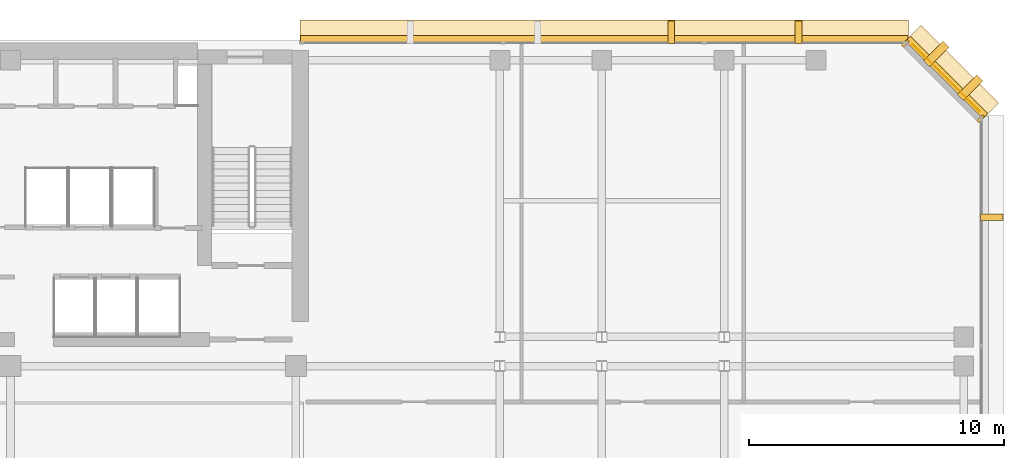
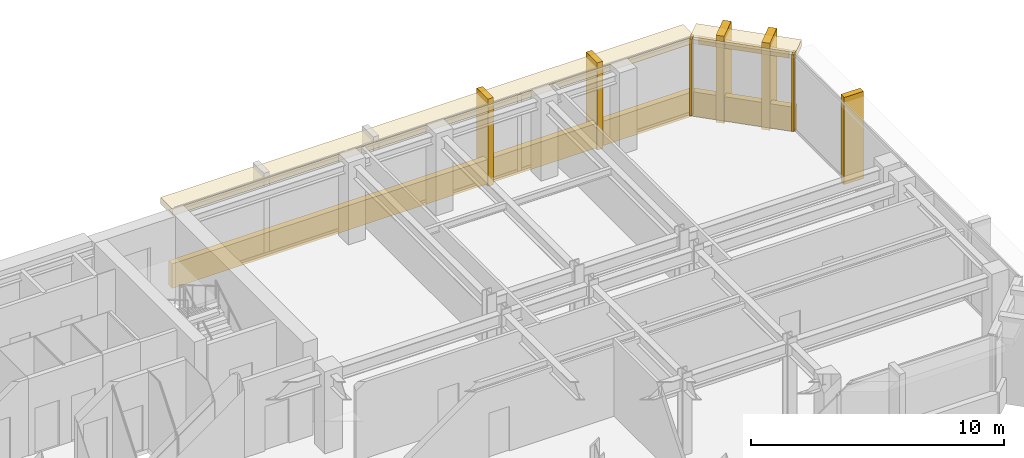
# One storey, part 12 of 12: 12 coverings.
"""IFC4 building model written with IfcOpenShell, lengths in metres."""

from ifc_helpers import new_model, si_unit, direction, frame, origin, origin_2d, place, context, subcontext, project, spatial, rectangle, extrude, material, layer, layer_set, type_object, element, save


model = new_model("IFC4")

# Units and contexts
model_context = context("Model", 3, precision=1e-05, world=origin(), true_north=direction((0.0, 1.0)))
body_context = subcontext(model_context, "Body", "Model", "MODEL_VIEW")
ifc_project = project(units=[si_unit("LENGTHUNIT", "METRE"), si_unit("AREAUNIT", "SQUARE_METRE"), si_unit("VOLUMEUNIT", "CUBIC_METRE"), si_unit("PLANEANGLEUNIT", "RADIAN"), si_unit("MASSUNIT", "GRAM", prefix="KILO")], contexts=[model_context])

# Site, building, storey
site_placement = place(None, origin())
site = spatial("IfcSite", under=ifc_project, at=site_placement, CompositionType="ELEMENT")
building_placement = place(site_placement, origin())
building = spatial("IfcBuilding", under=site, at=building_placement, Name="Kefirva Bronze Tower", CompositionType="ELEMENT")
storey_placement = place(building_placement, frame((0.0, 0.0, 203.280029296875)))
storey = spatial("IfcBuildingStorey", under=building, at=storey_placement, Name="L49", CompositionType="ELEMENT", Elevation=203.280029296875)

# Coverings
ifc_material = material(Name="Bronze anodised aluminium", Category="aluminium")
ifc_layer_1 = layer(ifc_material, 0.02001953125, Name="Bronze anodised aluminium")
ifc_layer_set_1 = layer_set([ifc_layer_1], Name="Bronze anodised aluminium")
covering_type_1 = type_object("IfcCoveringType", Name="Anodised Bronze Spandrel Cladding 20mm", PredefinedType="CLADDING", material=ifc_layer_set_1)
covering_1_placement = place(storey_placement, frame((48.70703125, 44.507080078125, 3.2900390625), z_axis=(0.0, 0.0, 1.0), x_axis=(-0.707106781187, 0.707106781187, 0.0)))
element("IfcCovering", 1, at=covering_1_placement, inside=storey, type_object=covering_type_1, Name="L49 Bronze Spandrel Cladding 5", PredefinedType="CLADDING", context=body_context, shape_type="SweptSolid", body=[
    extrude(rectangle(XDim=3.719482421875, YDim=0.02001953125, at=origin_2d()), origin(), (0.0, 0.0, 1.0), 0.39990234375),
])
for number, where, z_axis, x_axis, name in (
    (2, (50.06201171875, 42.91162109375, 0.0), (0.0, 0.0, 1.0), (-0.707106781187, 0.707106781187, 0.0), "L49 Facade Joint Closure Panel 5S"),
    (3, (47.11181640625, 45.862060546875, 0.0), (0.0, 0.0, 1.0), (-0.707106781187, 0.707106781187, 0.0), "L49 Facade Joint Closure Panel 5E"),
):
    element("IfcCovering", number, at=place(storey_placement, frame(where, z_axis=z_axis, x_axis=x_axis)), inside=storey, type_object=covering_type_1, Name=name, PredefinedType="CLADDING", context=body_context, shape_type="SweptSolid", body=[
        extrude(rectangle(XDim=0.10009765625, YDim=0.320068359375, at=origin_2d()), origin(), (0.0, 0.0, 1.0), 3.7099609375),
    ])
covering_2_placement = place(storey_placement, frame((48.728271484375, 44.5283203125, -0.16015625), z_axis=(0.0, 0.0, 1.0), x_axis=(-0.707106781187, 0.707106781187, 0.0)))
element("IfcCovering", 4, at=covering_2_placement, inside=storey, type_object=covering_type_1, Name="L49 Streamline Horizontal Spandrel Band 7", PredefinedType="CLADDING", context=body_context, shape_type="SweptSolid", body=[
    extrude(rectangle(XDim=4.28271484375, YDim=0.280029296875, at=origin_2d()), origin(), (0.0, 0.0, 1.0), 1.179931640625),
])
covering_3_placement = place(storey_placement, frame((35.302490234375, 46.0400390625, -0.16015625), z_axis=(0.0, 0.0, 1.0), x_axis=(-1.0, 0.0, 0.0)))
element("IfcCovering", 5, at=covering_3_placement, inside=storey, type_object=covering_type_1, Name="L49 Streamline Horizontal Spandrel Band 8", PredefinedType="CLADDING", context=body_context, shape_type="SweptSolid", body=[
    extrude(rectangle(XDim=23.8349609375, YDim=0.280029296875, at=origin_2d()), origin(), (0.0, 0.0, 1.0), 1.179931640625),
])
ifc_layer_2 = layer(ifc_material, 0.179931640625, Name="Bronze anodised aluminium")
ifc_layer_set_2 = layer_set([ifc_layer_2], Name="Bronze anodised aluminium")
covering_type_2 = type_object("IfcCoveringType", Name="Streamline Bronze Sunshade Eyebrow Cladding 180mm", PredefinedType="CLADDING", material=ifc_layer_set_2)
covering_4_placement = place(storey_placement, frame((48.919189453125, 44.71923828125, 3.39013671875), z_axis=(0.0, 0.0, 1.0), x_axis=(-0.707106781187, 0.707106781187, 0.0)))
element("IfcCovering", 6, at=covering_4_placement, inside=storey, type_object=covering_type_2, Name="L49 Streamline Bronze Sunshade Eyebrow 7", PredefinedType="CLADDING", context=body_context, shape_type="SweptSolid", body=[
    extrude(rectangle(XDim=4.322509765625, YDim=0.93994140625, at=origin_2d()), origin(), (0.0, 0.0, 1.0), 0.320068359375),
])
covering_5_placement = place(storey_placement, frame((35.302490234375, 46.31005859375, 3.39013671875), z_axis=(0.0, 0.0, 1.0), x_axis=(-1.0, 0.0, 0.0)))
element("IfcCovering", 7, at=covering_5_placement, inside=storey, type_object=covering_type_2, Name="L49 Streamline Bronze Sunshade Eyebrow 8", PredefinedType="CLADDING", context=body_context, shape_type="SweptSolid", body=[
    extrude(rectangle(XDim=23.875, YDim=0.93994140625, at=origin_2d()), origin(), (0.0, 0.0, 1.0), 0.320068359375),
])
ifc_layer_3 = layer(ifc_material, 0.260009765625, Name="Bronze anodised aluminium")
ifc_layer_set_3 = layer_set([ifc_layer_3], Name="Bronze anodised aluminium")
covering_type_3 = type_object("IfcCoveringType", Name="Unbroken Bronze Buttress Fin Cladding 260mm", PredefinedType="CLADDING", material=ifc_layer_set_3)
covering_6_placement = place(storey_placement, frame((50.5, 39.0400390625, -0.25), z_axis=(0.0, 0.0, 1.0), x_axis=(0.0, 1.0, 0.0)))
element("IfcCovering", 8, at=covering_6_placement, inside=storey, type_object=covering_type_3, Name="L49 Unbroken Vertical Bronze Rib Fin 14", PredefinedType="CLADDING", context=body_context, shape_type="SweptSolid", body=[
    extrude(rectangle(XDim=0.260009765625, YDim=0.8798828125, at=origin_2d()), origin(), (0.0, 0.0, 1.0), 4.2099609375),
])
for number, where, z_axis, x_axis, name in (
    (9, (49.642822265625, 44.122802734375, -0.25), (0.0, 0.0, 1.0), (-0.707106781187, 0.707106781187, 0.0), "L49 Chamfered Corner Buttress Fin Cladding 15"),
    (10, (48.32275390625, 45.44287109375, -0.25), (0.0, 0.0, 1.0), (-0.707106781187, 0.707106781187, 0.0), "L49 Chamfered Corner Buttress Fin Cladding 16"),
):
    element("IfcCovering", number, at=place(storey_placement, frame(where, z_axis=z_axis, x_axis=x_axis)), inside=storey, type_object=covering_type_3, Name=name, PredefinedType="CLADDING", context=body_context, shape_type="SweptSolid", body=[
        extrude(rectangle(XDim=0.340087890625, YDim=1.080078125, at=origin_2d()), origin(), (0.0, 0.0, 1.0), 4.2099609375),
    ])
for number, where, z_axis, x_axis, name in (
    (11, (42.9169921875, 46.300048828125, -0.25), (0.0, 0.0, 1.0), (-1.0, 0.0, 0.0), "L49 Unbroken Vertical Bronze Rib Fin 17"),
    (12, (37.919921875, 46.300048828125, -0.25), (0.0, 0.0, 1.0), (-1.0, 0.0, 0.0), "L49 Unbroken Vertical Bronze Rib Fin 18"),
):
    element("IfcCovering", number, at=place(storey_placement, frame(where, z_axis=z_axis, x_axis=x_axis)), inside=storey, type_object=covering_type_3, Name=name, PredefinedType="CLADDING", context=body_context, shape_type="SweptSolid", body=[
        extrude(rectangle(XDim=0.260009765625, YDim=0.8798828125, at=origin_2d()), origin(), (0.0, 0.0, 1.0), 4.2099609375),
    ])

save(model, "model.ifc")
